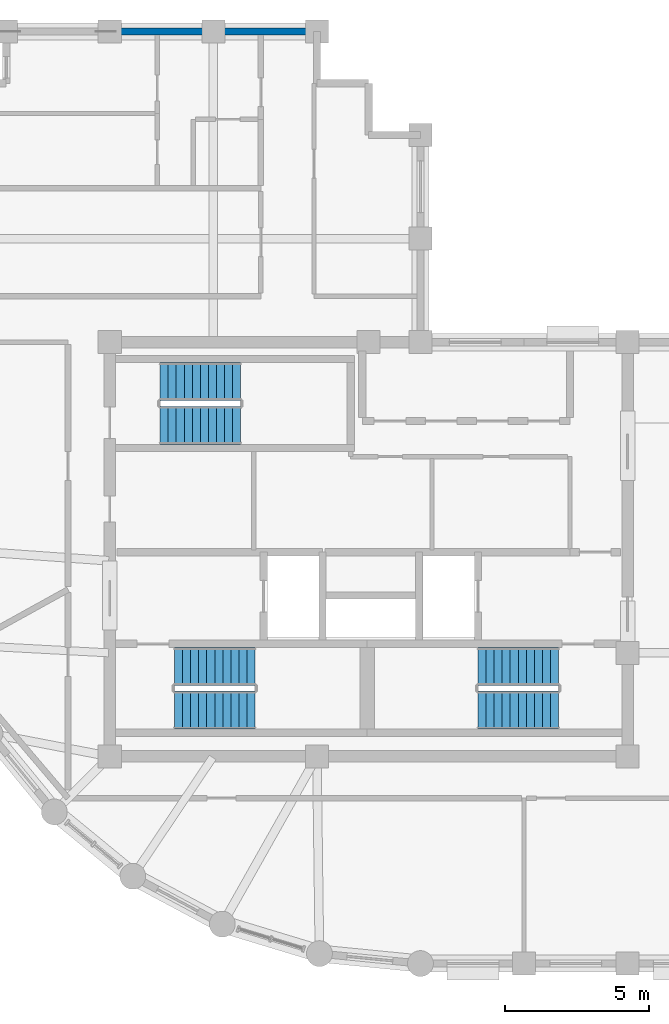
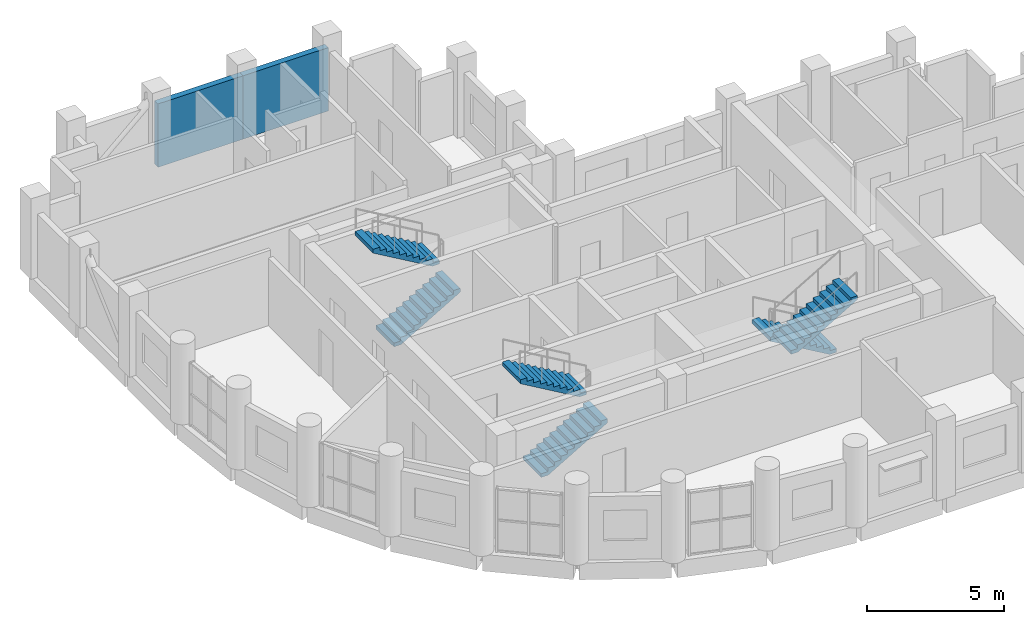
# One storey, part 10 of 11: 6 stair flights, 2 walls, 3 elements without a shape of their own.
"""IFC4 building model written with IfcOpenShell, lengths in metres."""

from ifc_helpers import new_model, si_unit, direction, frame, frame_2d, origin, place, context, subcontext, project, spatial, polyline, rectangle, outline, extrude, material, layer, layer_set, type_object, element, aggregate, save


model = new_model("IFC4")

# Units and contexts
model_context = context("Model", 3, precision=1e-05, world=origin(), true_north=direction((0.0, 1.0)))
body_context = subcontext(model_context, "Body", "Model", "MODEL_VIEW")
ifc_project = project(units=[si_unit("LENGTHUNIT", "METRE"), si_unit("AREAUNIT", "SQUARE_METRE"), si_unit("VOLUMEUNIT", "CUBIC_METRE"), si_unit("PLANEANGLEUNIT", "RADIAN"), si_unit("MASSUNIT", "GRAM", prefix="KILO")], contexts=[model_context])

# Site, building, storey
site_placement = place(None, origin())
site = spatial("IfcSite", under=ifc_project, at=site_placement, CompositionType="ELEMENT")
building_placement = place(site_placement, origin())
building = spatial("IfcBuilding", under=site, at=building_placement, Name="Solnavia Interchange Tower", CompositionType="ELEMENT")
storey_placement = place(building_placement, frame((0.0, 0.0, 273.800048828125)))
storey = spatial("IfcBuildingStorey", under=building, at=storey_placement, Name="L69", CompositionType="ELEMENT", Elevation=273.800048828125)

# Walls
ifc_material = material(Name="Concrete C40/50", Category="concrete")
ifc_layer = layer(ifc_material, 0.25)
ifc_layer_set = layer_set([ifc_layer], Name="Concrete C40/50")
wall_type = type_object("IfcWallType", Name="Wall-ExtSpandrel-250", PredefinedType="STANDARD", material=ifc_layer_set)
for number, where, z_axis, x_axis, name in (
    (1, (18.0, 36.0, 0.0), (0.0, 0.0, 1.0), (1.0, 0.0, 0.0), "EXW-L69-27 Exterior precast spandrel wall"),
    (2, (14.39990234375, 36.0, 0.0), (0.0, 0.0, 1.0), (1.0, 0.0, 0.0), "EXW-L69-28 Exterior precast spandrel wall"),
):
    element("IfcWall", number, at=place(storey_placement, frame(where, z_axis=z_axis, x_axis=x_axis)), inside=storey, type_object=wall_type, Name=name, PredefinedType="STANDARD", context=body_context, shape_type="SweptSolid", body=[
        extrude(rectangle(XDim=3.60009765625, YDim=0.25, at=frame_2d((1.800048828125, 0.0))), origin(), (0.0, 0.0, 1.0), 2.829833984375),
    ])

# Stair, stair flights
stair_type = type_object("IfcStairType", Name="Stair-Dogleg-RC", PredefinedType="HALF_TURN_STAIR", material=ifc_material)
stair_1_placement = place(storey_placement, origin())
stair_1 = element("IfcStair", 3, at=stair_1_placement, inside=storey, type_object=stair_type, Name="L69 Core exit stair 1", PredefinedType="HALF_TURN_STAIR")
stair_flight_type = type_object("IfcStairFlightType", Name="StairFlight-RC-150", PredefinedType="STRAIGHT", material=ifc_material)
stair_flight_1_placement = place(storey_placement, frame((16.64990234375, 12.409912109375, 0.0), z_axis=(0.0, 0.0, 1.0), x_axis=(1.0, 0.0, 0.0)))
stair_flight_1 = element("IfcStairFlight", 4, at=stair_flight_1_placement, type_object=stair_flight_type, Name="ST-1 flight 1", NumberOfRisers=11, NumberOfTreads=10, PredefinedType="STRAIGHT", RiserHeight=0.163636364, TreadLength=0.28, context=body_context, shape_type="SweptSolid", body=[
    extrude(outline(polyline([(0.0, 0.0), (0.0, 0.16357421875), (0.280029296875, 0.16357421875), (0.280029296875, 0.327392578125), (0.56005859375, 0.327392578125), (0.56005859375, 0.490966796875), (0.840087890625, 0.490966796875), (0.840087890625, 0.654541015625), (1.1201171875, 0.654541015625), (1.1201171875, 0.818115234375), (1.39990234375, 0.818115234375), (1.39990234375, 0.98193359375), (1.679931640625, 0.98193359375), (1.679931640625, 1.1455078125), (1.9599609375, 1.1455078125), (1.9599609375, 1.30908203125), (2.239990234375, 1.30908203125), (2.239990234375, 1.47265625), (2.52001953125, 1.47265625), (2.52001953125, 1.636474609375), (2.800048828125, 1.636474609375), (2.800048828125, 1.800048828125), (2.800048828125, 1.462646484375), (0.297119140625, 0.0), (0.0, 0.0)])), frame((0.0, 0.66015625, 0.0), z_axis=(0.0, -1.0, 0.0), x_axis=(1.0, 0.0, 0.0)), (0.0, 0.0, 1.0), 1.320068359375),
])
stair_flight_2_placement = place(storey_placement, frame((19.449951171875, 13.929931640625, 1.800048828125), z_axis=(0.0, 0.0, 1.0), x_axis=(-1.0, 0.0, 0.0)))
stair_flight_2 = element("IfcStairFlight", 5, at=stair_flight_2_placement, type_object=stair_flight_type, Name="ST-1 flight 2", NumberOfRisers=11, NumberOfTreads=10, PredefinedType="STRAIGHT", RiserHeight=0.163636364, TreadLength=0.28, context=body_context, shape_type="SweptSolid", body=[
    extrude(outline(polyline([(0.0, 0.0), (0.0, 0.16357421875), (0.280029296875, 0.16357421875), (0.280029296875, 0.327392578125), (0.56005859375, 0.327392578125), (0.56005859375, 0.490966796875), (0.840087890625, 0.490966796875), (0.840087890625, 0.654541015625), (1.1201171875, 0.654541015625), (1.1201171875, 0.818115234375), (1.39990234375, 0.818115234375), (1.39990234375, 0.98193359375), (1.679931640625, 0.98193359375), (1.679931640625, 1.1455078125), (1.9599609375, 1.1455078125), (1.9599609375, 1.30908203125), (2.239990234375, 1.30908203125), (2.239990234375, 1.47265625), (2.52001953125, 1.47265625), (2.52001953125, 1.636474609375), (2.800048828125, 1.636474609375), (2.800048828125, 1.800048828125), (2.800048828125, 1.462646484375), (0.297119140625, 0.0), (0.0, 0.0)])), frame((0.0, 0.66015625, 0.0), z_axis=(0.0, -1.0, 0.0), x_axis=(1.0, 0.0, 0.0)), (0.0, 0.0, 1.0), 1.320068359375),
])
aggregate(stair_1, [stair_flight_1, stair_flight_2])

stair_2_placement = place(storey_placement, origin())
stair_2 = element("IfcStair", 6, at=stair_2_placement, inside=storey, type_object=stair_type, Name="L69 Core exit stair 2", PredefinedType="HALF_TURN_STAIR")
stair_flight_3_placement = place(storey_placement, frame((30.0, 13.929931640625, 0.0), z_axis=(0.0, 0.0, 1.0), x_axis=(-1.0, 0.0, 0.0)))
stair_flight_3 = element("IfcStairFlight", 7, at=stair_flight_3_placement, type_object=stair_flight_type, Name="ST-2 flight 1", NumberOfRisers=11, NumberOfTreads=10, PredefinedType="STRAIGHT", RiserHeight=0.163636364, TreadLength=0.28, context=body_context, shape_type="SweptSolid", body=[
    extrude(outline(polyline([(0.0, 0.0), (0.0, 0.16357421875), (0.280029296875, 0.16357421875), (0.280029296875, 0.327392578125), (0.56005859375, 0.327392578125), (0.56005859375, 0.490966796875), (0.840087890625, 0.490966796875), (0.840087890625, 0.654541015625), (1.1201171875, 0.654541015625), (1.1201171875, 0.818115234375), (1.39990234375, 0.818115234375), (1.39990234375, 0.98193359375), (1.679931640625, 0.98193359375), (1.679931640625, 1.1455078125), (1.9599609375, 1.1455078125), (1.9599609375, 1.30908203125), (2.239990234375, 1.30908203125), (2.239990234375, 1.47265625), (2.52001953125, 1.47265625), (2.52001953125, 1.636474609375), (2.800048828125, 1.636474609375), (2.800048828125, 1.800048828125), (2.800048828125, 1.462646484375), (0.297119140625, 0.0), (0.0, 0.0)])), frame((0.0, 0.66015625, 0.0), z_axis=(0.0, -1.0, 0.0), x_axis=(1.0, 0.0, 0.0)), (0.0, 0.0, 1.0), 1.320068359375),
])
stair_flight_4_placement = place(storey_placement, frame((27.199951171875, 12.409912109375, 1.800048828125), z_axis=(0.0, 0.0, 1.0), x_axis=(1.0, 0.0, 0.0)))
stair_flight_4 = element("IfcStairFlight", 8, at=stair_flight_4_placement, type_object=stair_flight_type, Name="ST-2 flight 2", NumberOfRisers=11, NumberOfTreads=10, PredefinedType="STRAIGHT", RiserHeight=0.163636364, TreadLength=0.28, context=body_context, shape_type="SweptSolid", body=[
    extrude(outline(polyline([(0.0, 0.0), (0.0, 0.16357421875), (0.280029296875, 0.16357421875), (0.280029296875, 0.327392578125), (0.56005859375, 0.327392578125), (0.56005859375, 0.490966796875), (0.840087890625, 0.490966796875), (0.840087890625, 0.654541015625), (1.1201171875, 0.654541015625), (1.1201171875, 0.818115234375), (1.39990234375, 0.818115234375), (1.39990234375, 0.98193359375), (1.679931640625, 0.98193359375), (1.679931640625, 1.1455078125), (1.9599609375, 1.1455078125), (1.9599609375, 1.30908203125), (2.239990234375, 1.30908203125), (2.239990234375, 1.47265625), (2.52001953125, 1.47265625), (2.52001953125, 1.636474609375), (2.800048828125, 1.636474609375), (2.800048828125, 1.800048828125), (2.800048828125, 1.462646484375), (0.297119140625, 0.0), (0.0, 0.0)])), frame((0.0, 0.66015625, 0.0), z_axis=(0.0, -1.0, 0.0), x_axis=(1.0, 0.0, 0.0)), (0.0, 0.0, 1.0), 1.320068359375),
])
aggregate(stair_2, [stair_flight_3, stair_flight_4])

stair_3_placement = place(storey_placement, origin())
stair_3 = element("IfcStair", 9, at=stair_3_placement, inside=storey, type_object=stair_type, Name="L69 Core exit stair 3", PredefinedType="HALF_TURN_STAIR")
stair_flight_5_placement = place(storey_placement, frame((16.14990234375, 22.31005859375, 0.0), z_axis=(0.0, 0.0, 1.0), x_axis=(1.0, 0.0, 0.0)))
stair_flight_5 = element("IfcStairFlight", 10, at=stair_flight_5_placement, type_object=stair_flight_type, Name="ST-3 flight 1", NumberOfRisers=11, NumberOfTreads=10, PredefinedType="STRAIGHT", RiserHeight=0.163636364, TreadLength=0.28, context=body_context, shape_type="SweptSolid", body=[
    extrude(outline(polyline([(0.0, 0.0), (0.0, 0.16357421875), (0.280029296875, 0.16357421875), (0.280029296875, 0.327392578125), (0.56005859375, 0.327392578125), (0.56005859375, 0.490966796875), (0.840087890625, 0.490966796875), (0.840087890625, 0.654541015625), (1.1201171875, 0.654541015625), (1.1201171875, 0.818115234375), (1.39990234375, 0.818115234375), (1.39990234375, 0.98193359375), (1.679931640625, 0.98193359375), (1.679931640625, 1.1455078125), (1.9599609375, 1.1455078125), (1.9599609375, 1.30908203125), (2.239990234375, 1.30908203125), (2.239990234375, 1.47265625), (2.52001953125, 1.47265625), (2.52001953125, 1.636474609375), (2.800048828125, 1.636474609375), (2.800048828125, 1.800048828125), (2.800048828125, 1.462646484375), (0.297119140625, 0.0), (0.0, 0.0)])), frame((0.0, 0.66015625, 0.0), z_axis=(0.0, -1.0, 0.0), x_axis=(1.0, 0.0, 0.0)), (0.0, 0.0, 1.0), 1.320068359375),
])
stair_flight_6_placement = place(storey_placement, frame((18.949951171875, 23.830078125, 1.800048828125), z_axis=(0.0, 0.0, 1.0), x_axis=(-1.0, 0.0, 0.0)))
stair_flight_6 = element("IfcStairFlight", 11, at=stair_flight_6_placement, type_object=stair_flight_type, Name="ST-3 flight 2", NumberOfRisers=11, NumberOfTreads=10, PredefinedType="STRAIGHT", RiserHeight=0.163636364, TreadLength=0.28, context=body_context, shape_type="SweptSolid", body=[
    extrude(outline(polyline([(0.0, 0.0), (0.0, 0.16357421875), (0.280029296875, 0.16357421875), (0.280029296875, 0.327392578125), (0.56005859375, 0.327392578125), (0.56005859375, 0.490966796875), (0.840087890625, 0.490966796875), (0.840087890625, 0.654541015625), (1.1201171875, 0.654541015625), (1.1201171875, 0.818115234375), (1.39990234375, 0.818115234375), (1.39990234375, 0.98193359375), (1.679931640625, 0.98193359375), (1.679931640625, 1.1455078125), (1.9599609375, 1.1455078125), (1.9599609375, 1.30908203125), (2.239990234375, 1.30908203125), (2.239990234375, 1.47265625), (2.52001953125, 1.47265625), (2.52001953125, 1.636474609375), (2.800048828125, 1.636474609375), (2.800048828125, 1.800048828125), (2.800048828125, 1.462646484375), (0.297119140625, 0.0), (0.0, 0.0)])), frame((0.0, 0.66015625, 0.0), z_axis=(0.0, -1.0, 0.0), x_axis=(1.0, 0.0, 0.0)), (0.0, 0.0, 1.0), 1.320068359375),
])
aggregate(stair_3, [stair_flight_5, stair_flight_6])

save(model, "model.ifc")
